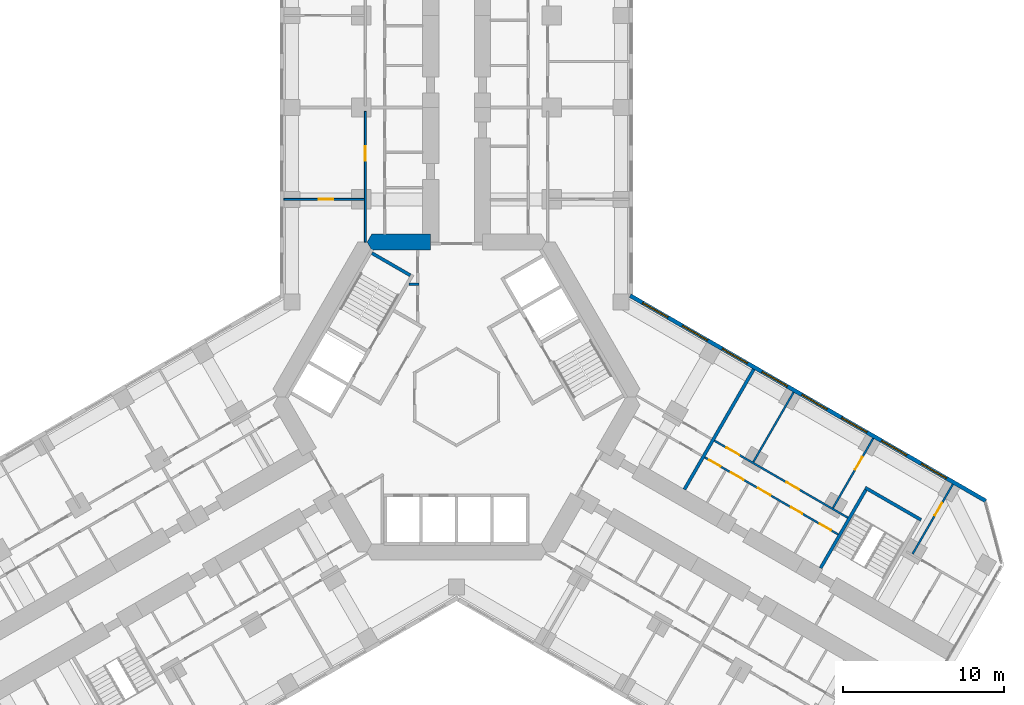
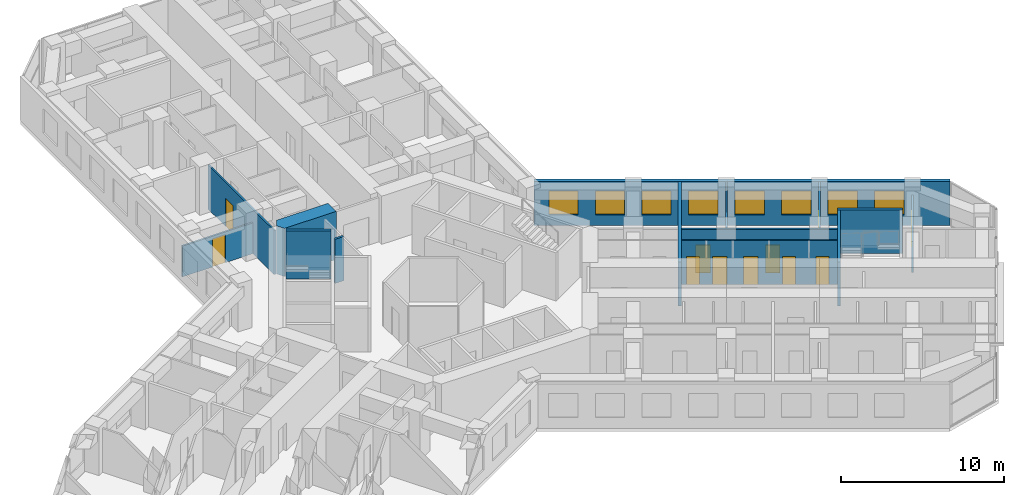
# One storey, part 16 of 21: 14 walls, 11 doors, 8 windows, 19 openings.
"""IFC4 building model written with IfcOpenShell, lengths in metres."""

import ifcopenshell
import ifcopenshell.guid

model = None  # the IFC model being written
_history = None  # IfcOwnerHistory: only IFC2X3 demands one
_inside = {}  # id of a spatial element -> (the spatial element, [elements in it])
_under = {}  # id of a project, library or spatial element -> (it, [spatial elements below it])
_declared = {}  # id of a project -> (the project, [libraries it declares])
_typed = {}  # id of a type object -> (the type object, [elements of that type])
_made_of = {}  # id of a material, layer set ... -> (it, [elements and type objects made of it])


def new_model(schema):
    """Start an empty IFC model of exactly this schema.

    Asked for "IFC4X3", IfcOpenShell would pick the latest addendum, in which some entities
    have other attributes; the version numbers below select the first issue.
    IFC2X3 requires an IfcOwnerHistory on every rooted entity: one is made here for all.
    """
    global model, _history
    if schema == "IFC4X3":
        model = ifcopenshell.file(schema_version=(4, 3, 0, 0))
    else:
        model = ifcopenshell.file(schema=schema)
    _inside.clear()
    _under.clear()
    _declared.clear()
    _typed.clear()
    _made_of.clear()
    _history = None
    if model.schema == "IFC2X3":
        org = make("IfcOrganization", Name="unknown")
        user = make(
            "IfcPersonAndOrganization",
            ThePerson=make("IfcPerson", FamilyName="unknown"),
            TheOrganization=org,
        )
        app = make(
            "IfcApplication",
            ApplicationDeveloper=org,
            Version="unknown",
            ApplicationFullName="unknown",
            ApplicationIdentifier="unknown",
        )
        _history = make(
            "IfcOwnerHistory",
            OwningUser=user,
            OwningApplication=app,
            ChangeAction="ADDED",
            CreationDate=0,
        )
    return model


def make(cls, **values):
    """One entity of the class cls with the attributes given. An attribute that is None is left unset."""
    return model.create_entity(
        cls, **{name: value for name, value in values.items() if value is not None}
    )


def rooted(cls, **values):
    """An entity with a GlobalId (a new one), such as an element, a storey or a relation."""
    return make(cls, GlobalId=ifcopenshell.guid.new(), OwnerHistory=_history, **values)


def si_unit(unit_type, name, prefix=None):
    """IfcSIUnit, for example si_unit("LENGTHUNIT", "METRE", prefix="MILLI")."""
    return make("IfcSIUnit", UnitType=unit_type, Prefix=prefix, Name=name)


def assignment(units):
    """IfcUnitAssignment: the units of a project."""
    return None if units is None else make("IfcUnitAssignment", Units=units)


def point(xyz):
    """IfcCartesianPoint."""
    return None if xyz is None else make("IfcCartesianPoint", Coordinates=xyz)


def direction(xyz):
    """IfcDirection."""
    return None if xyz is None else make("IfcDirection", DirectionRatios=xyz)


def frame(location, z_axis=None, x_axis=None):
    """IfcAxis2Placement3D, a coordinate frame: its origin and axes. An axis left out is left unset."""
    return make(
        "IfcAxis2Placement3D",
        Location=point(location),
        Axis=direction(z_axis),
        RefDirection=direction(x_axis),
    )


def frame_2d(location, x_axis=None):
    """IfcAxis2Placement2D, a coordinate frame in the plane: its origin and x axis."""
    return make(
        "IfcAxis2Placement2D", Location=point(location), RefDirection=direction(x_axis)
    )


def origin():
    """The frame at (0, 0, 0) with its axes left unset."""
    return frame((0.0, 0.0, 0.0))


def place(relative_to, where):
    """IfcLocalPlacement: puts the frame where relative to a parent placement (None: the world)."""
    return make(
        "IfcLocalPlacement", PlacementRelTo=relative_to, RelativePlacement=where
    )


def context(
    kind, dimensions, precision=None, world=None, true_north=None, identifier=None
):
    """IfcGeometricRepresentationContext, for example the 3D "Model" context."""
    return make(
        "IfcGeometricRepresentationContext",
        ContextIdentifier=identifier,
        ContextType=kind,
        CoordinateSpaceDimension=dimensions,
        Precision=precision,
        WorldCoordinateSystem=world,
        TrueNorth=true_north,
    )


def subcontext(parent, identifier, kind, view, scale=None):
    """IfcGeometricRepresentationSubContext, for example "Body" below "Model"."""
    return make(
        "IfcGeometricRepresentationSubContext",
        ContextIdentifier=identifier,
        ContextType=kind,
        ParentContext=parent,
        TargetScale=scale,
        TargetView=view,
    )


def project(units=None, contexts=None):
    """IfcProject with its units and contexts."""
    return rooted(
        "IfcProject",
        Name="project",
        RepresentationContexts=contexts,
        UnitsInContext=assignment(units),
    )


def spatial(cls, under=None, at=None, **own):
    """A site, building, storey or space (cls), placed at a placement, below another one or the project."""
    s = rooted(cls, ObjectPlacement=at, **own)
    if under is not None:
        _under.setdefault(under.id(), (under, []))[1].append(s)
    return s


def polyline(points):
    """IfcPolyline through the points."""
    return make("IfcPolyline", Points=[point(p) for p in points])


def profile(cls, at=None, kind="AREA", **sizes):
    """A parametric profile (cls). Its sizes go by their IFC names, for example OverallWidth=200.0."""
    return make(cls, ProfileType=kind, Position=at, **sizes)


def rectangle(**sizes):
    """IfcRectangleProfileDef."""
    return profile("IfcRectangleProfileDef", **sizes)


def outline(outer, holes=None, kind="AREA"):
    """IfcArbitraryClosedProfileDef: a profile drawn as a closed curve; with holes, ...WithVoids."""
    if holes is None:
        return make("IfcArbitraryClosedProfileDef", ProfileType=kind, OuterCurve=outer)
    return make(
        "IfcArbitraryProfileDefWithVoids",
        ProfileType=kind,
        OuterCurve=outer,
        InnerCurves=holes,
    )


def extrude(swept, where, along, depth):
    """IfcExtrudedAreaSolid: the profile swept, set in the frame where, extruded along a direction by depth."""
    return make(
        "IfcExtrudedAreaSolid",
        SweptArea=swept,
        Position=where,
        ExtrudedDirection=direction(along),
        Depth=depth,
    )


def shape(context_of_items, identifier, shape_type, items):
    """IfcShapeRepresentation: the items that make up one representation, for example the "Body"."""
    return make(
        "IfcShapeRepresentation",
        ContextOfItems=context_of_items,
        RepresentationIdentifier=identifier,
        RepresentationType=shape_type,
        Items=items,
    )


def material(Name=None, Category=None):
    """IfcMaterial."""
    return make("IfcMaterial", Name=Name, Category=Category)


def layer(
    of_material, thickness, ventilated=None, Name=None, Category=None, Priority=None
):
    """IfcMaterialLayer: one layer of a wall or slab, of a material (None: an air gap)."""
    return make(
        "IfcMaterialLayer",
        Material=of_material,
        LayerThickness=thickness,
        IsVentilated=ventilated,
        Name=Name,
        Category=Category,
        Priority=Priority,
    )


def layer_set(layers, Name=None):
    """IfcMaterialLayerSet."""
    return make("IfcMaterialLayerSet", MaterialLayers=layers, LayerSetName=Name)


def made_of(thing, what):
    """Note that an element or type object is made of a material, layer set ...; save() writes the relation."""
    if what is not None:
        _made_of.setdefault(what.id(), (what, []))[1].append(thing)
    return thing


def type_object(cls, material=None, **own):
    """A type object (cls), such as IfcWallType, which elements share."""
    return made_of(rooted(cls, **own), material)


def element(
    cls,
    number,
    at=None,
    inside=None,
    cuts=None,
    type_object=None,
    material=None,
    context=None,
    identifier="Body",
    shape_type=None,
    held_by="IfcProductDefinitionShape",
    body=None,
    shapes=None,
    **own,
):
    """One element of the class cls, such as IfcWall. Its Tag is "e" and its number.

    at: its placement. inside: the storey or other place that contains it. cuts: it is an
    opening in that element (IfcRelVoidsElement). A single representation is given by context,
    identifier, shape_type and body (its items); several are given by shapes. held_by: the class
    of the entity that holds the representations. save() writes the other relations.
    """
    e = rooted(cls, Tag="e%d" % number, ObjectPlacement=at, **own)
    if body is not None:
        shapes = [shape(context, identifier, shape_type, body)]
    if shapes is not None:
        e.Representation = make(held_by, Representations=shapes)
    if inside is not None:
        _inside.setdefault(inside.id(), (inside, []))[1].append(e)
    if cuts is not None:
        rooted(
            "IfcRelVoidsElement", RelatingBuildingElement=cuts, RelatedOpeningElement=e
        )
    if type_object is not None:
        _typed.setdefault(type_object.id(), (type_object, []))[1].append(e)
    return made_of(e, material)


def fill(opening, filler):
    """IfcRelFillsElement: the door or window that sits in an opening."""
    return rooted(
        "IfcRelFillsElement",
        RelatingOpeningElement=opening,
        RelatedBuildingElement=filler,
    )


def aggregate(whole, parts):
    """IfcRelAggregates: a whole, such as a stair, and the parts it consists of."""
    return rooted("IfcRelAggregates", RelatingObject=whole, RelatedObjects=parts)


def save(model, path):
    """Write the relations noted so far, then the file.

    IfcRelAggregates (storeys below a building ...), IfcRelContainedInSpatialStructure (elements
    in a storey), IfcRelDefinesByType, IfcRelAssociatesMaterial and IfcRelDeclares: one each for
    every whole, place, type object, material and project.
    """
    for whole, parts in _under.values():
        aggregate(whole, parts)
    for where, things in _inside.values():
        rooted(
            "IfcRelContainedInSpatialStructure",
            RelatedElements=things,
            RelatingStructure=where,
        )
    for kind, things in _typed.values():
        rooted("IfcRelDefinesByType", RelatedObjects=things, RelatingType=kind)
    for what, things in _made_of.values():
        rooted("IfcRelAssociatesMaterial", RelatedObjects=things, RelatingMaterial=what)
    for by, libraries in _declared.values():
        rooted("IfcRelDeclares", RelatingContext=by, RelatedDefinitions=libraries)
    model.write(path)


model = new_model("IFC4")

# Units and contexts
model_context = context("Model", 3, precision=1e-05, world=origin(), true_north=direction((0.0, 1.0)))
body_context = subcontext(model_context, "Body", "Model", "MODEL_VIEW")
ifc_project = project(units=[si_unit("LENGTHUNIT", "METRE"), si_unit("AREAUNIT", "SQUARE_METRE"), si_unit("VOLUMEUNIT", "CUBIC_METRE"), si_unit("PLANEANGLEUNIT", "RADIAN"), si_unit("MASSUNIT", "GRAM", prefix="KILO")], contexts=[model_context])

# Site, building, storey
site_placement = place(None, origin())
site = spatial("IfcSite", under=ifc_project, at=site_placement, CompositionType="ELEMENT")
building_placement = place(site_placement, origin())
building = spatial("IfcBuilding", under=site, at=building_placement, Name="Kosmar Iwan School Tower", CompositionType="ELEMENT")
storey_placement = place(building_placement, frame((0.0, 0.0, 109.60009765625)))
storey = spatial("IfcBuildingStorey", under=building, at=storey_placement, Name="L27", CompositionType="ELEMENT", Elevation=109.60009765625)

# Walls
ifc_material_1 = material(Name="Gypsum board on steel studs, fire-rated", Category="steel")
ifc_layer_1 = layer(ifc_material_1, 0.14990234375)
ifc_layer_set_1 = layer_set([ifc_layer_1], Name="Core room partition 150")
wall_type_1 = type_object("IfcWallType", Name="Core room partition 150", PredefinedType="PARTITIONING", material=ifc_layer_set_1)
wall_1_placement = place(storey_placement, frame((-2.324951171875, 6.985107421875, 0.0), z_axis=(0.0, 0.0, 1.0), x_axis=(-1.0, 0.0, 0.0)))
element("IfcWall", 1, at=wall_1_placement, inside=storey, type_object=wall_type_1, Name="Core room partition L27-CW2", PredefinedType="PARTITIONING", context=body_context, shape_type="SweptSolid", body=[
    extrude(rectangle(XDim=0.623779296875, YDim=0.14990234375, at=frame_2d((0.31201171875, 0.0))), origin(), (0.0, 0.0, 1.0), 3.2998046875),
])
ifc_material_2 = material(Name="Concrete C50/60", Category="concrete")
ifc_layer_2 = layer(ifc_material_2, 1.0)
ifc_layer_set_2 = layer_set([ifc_layer_2], Name="Core wall 1000")
wall_type_2 = type_object("IfcWallType", Name="Core wall 1000", PredefinedType="SHEAR", material=ifc_layer_set_2)
wall_2_placement = place(storey_placement, origin())
element("IfcWall", 2, at=wall_2_placement, inside=storey, type_object=wall_type_2, Name="Core wall F090b", PredefinedType="SHEAR", context=body_context, shape_type="SweptSolid", body=[
    extrude(outline(polyline([(-5.25390625, 9.10009765625), (-1.60009765625, 9.10009765625), (-1.60009765625, 10.10009765625), (-5.25390625, 10.10009765625), (-5.54248046875, 9.60009765625), (-5.25390625, 9.10009765625)])), origin(), (0.0, 0.0, 1.0), 3.599853515625),
])

# Wall, opening, door
ifc_material_3 = material(Name="Gypsum board on steel studs", Category="steel")
ifc_layer_3 = layer(ifc_material_3, 0.1201171875)
ifc_layer_set_3 = layer_set([ifc_layer_3], Name="Dwelling partition 120")
wall_type_3 = type_object("IfcWallType", Name="Dwelling partition 120", PredefinedType="PARTITIONING", material=ifc_layer_set_3)
wall_3_placement = place(storey_placement, frame((-5.64990234375, 9.60009765625, 0.0), z_axis=(0.0, 0.0, 1.0), x_axis=(0.0, 1.0, 0.0)))
wall_3 = element("IfcWall", 3, at=wall_3_placement, inside=storey, type_object=wall_type_3, Name="Partition L27-AL1-W2", PredefinedType="PARTITIONING", context=body_context, shape_type="SweptSolid", body=[
    extrude(rectangle(XDim=8.099853515625, YDim=0.1201171875, at=frame_2d((4.0498046875, 0.0))), origin(), (0.0, 0.0, 1.0), 3.2998046875),
])
opening_1_placement = place(wall_3_placement, frame((5.050048828125, 0.0, 0.0)))
opening_1 = element("IfcOpeningElement", 4, at=opening_1_placement, cuts=wall_3, Name="Opening D2", PredefinedType="OPENING", context=body_context, shape_type="SweptSolid", body=[
    extrude(rectangle(XDim=0.89990234375, YDim=2.10009765625, at=frame_2d((0.449951171875, 1.050048828125))), frame((0.0, 0.072021484375, 0.0), z_axis=(0.0, -1.0, 0.0), x_axis=(1.0, 0.0, 0.0)), (0.0, 0.0, 1.0), 0.14404296875),
])
ifc_material_4 = material(Name="Timber door in timber frame", Category="wood")
door_type_1 = type_object("IfcDoorType", Name="Internal door 900x2100", OperationType="SINGLE_SWING_LEFT", PredefinedType="DOOR", material=ifc_material_4)
door_1_placement = place(opening_1_placement, origin())
door_1 = element("IfcDoor", 5, at=door_1_placement, inside=storey, type_object=door_type_1, Name="Studio living room door L27-AL1-F2", OperationType="SINGLE_SWING_RIGHT", OverallHeight=2.10009765625, OverallWidth=0.89990234375, PredefinedType="DOOR", context=body_context, shape_type="SweptSolid", body=[
    extrude(rectangle(XDim=0.89990234375, YDim=2.10009765625, at=frame_2d((0.449951171875, 1.050048828125))), frame((0.0, 0.02490234375, 0.0), z_axis=(0.0, -1.0, 0.0), x_axis=(1.0, 0.0, 0.0)), (0.0, 0.0, 1.0), 0.050048828125),
])
fill(opening_1, door_1)

wall_4_placement = place(storey_placement, frame((-5.7099609375, 12.25, 0.0), z_axis=(0.0, 0.0, 1.0), x_axis=(-1.0, 0.0, 0.0)))
wall_4 = element("IfcWall", 6, at=wall_4_placement, inside=storey, type_object=wall_type_3, Name="Partition L27-AL1-X1", PredefinedType="PARTITIONING", context=body_context, shape_type="SweptSolid", body=[
    extrude(rectangle(XDim=4.989990234375, YDim=0.1201171875, at=frame_2d((2.4951171875, 0.0))), origin(), (0.0, 0.0, 1.0), 2.2998046875),
])
opening_2_placement = place(wall_4_placement, frame((1.93994140625, 0.0, 0.0)))
opening_2 = element("IfcOpeningElement", 7, at=opening_2_placement, cuts=wall_4, Name="Opening D2", PredefinedType="OPENING", context=body_context, shape_type="SweptSolid", body=[
    extrude(rectangle(XDim=0.89990234375, YDim=2.10009765625, at=frame_2d((0.449951171875, 1.050048828125))), frame((0.0, 0.072021484375, 0.0), z_axis=(0.0, -1.0, 0.0), x_axis=(1.0, 0.0, 0.0)), (0.0, 0.0, 1.0), 0.14404296875),
])
door_2_placement = place(opening_2_placement, origin())
door_2 = element("IfcDoor", 8, at=door_2_placement, inside=storey, type_object=door_type_1, Name="Kitchen and dining room door L27-AL1-F1", OperationType="SINGLE_SWING_LEFT", OverallHeight=2.10009765625, OverallWidth=0.89990234375, PredefinedType="DOOR", context=body_context, shape_type="SweptSolid", body=[
    extrude(rectangle(XDim=0.89990234375, YDim=2.10009765625, at=frame_2d((0.449951171875, 1.050048828125))), frame((0.0, 0.02490234375, 0.0), z_axis=(0.0, -1.0, 0.0), x_axis=(1.0, 0.0, 0.0)), (0.0, 0.0, 1.0), 0.050048828125),
])
fill(opening_2, door_2)

# Wall, openings, doors
wall_5_placement = place(storey_placement, frame((15.388671875, -3.74609375, 0.0), z_axis=(0.0, 0.0, 1.0), x_axis=(0.866017851049, -0.500013081493, 0.0)))
wall_5 = element("IfcWall", 9, at=wall_5_placement, inside=storey, type_object=wall_type_3, Name="Partition L27-CL2-W1", PredefinedType="PARTITIONING", context=body_context, shape_type="SweptSolid", body=[
    extrude(rectangle(XDim=9.550048828125, YDim=0.1201171875, at=frame_2d((4.77490234375, 0.0))), origin(), (0.0, 0.0, 1.0), 3.2998046875),
])
opening_3_placement = place(wall_5_placement, frame((0.3125, 0.0, 0.0)))
opening_3 = element("IfcOpeningElement", 10, at=opening_3_placement, cuts=wall_5, Name="Opening D3", PredefinedType="OPENING", context=body_context, shape_type="SweptSolid", body=[
    extrude(rectangle(XDim=0.800048828125, YDim=2.10009765625, at=frame_2d((0.39990234375, 1.050048828125))), frame((0.0, 0.072021484375, 0.0), z_axis=(0.0, -1.0, 0.0), x_axis=(1.0, 0.0, 0.0)), (0.0, 0.0, 1.0), 0.14404296875),
])
opening_4_placement = place(wall_5_placement, frame((1.887451171875, 0.0, 0.0)))
opening_4 = element("IfcOpeningElement", 11, at=opening_4_placement, cuts=wall_5, Name="Opening D2", PredefinedType="OPENING", context=body_context, shape_type="SweptSolid", body=[
    extrude(rectangle(XDim=0.89990234375, YDim=2.10009765625, at=frame_2d((0.449951171875, 1.050048828125))), frame((0.0, 0.072021484375, 0.0), z_axis=(0.0, -1.0, 0.0), x_axis=(1.0, 0.0, 0.0)), (0.0, 0.0, 1.0), 0.14404296875),
])
opening_5_placement = place(wall_5_placement, frame((3.800048828125, 0.0, 0.0)))
opening_5 = element("IfcOpeningElement", 12, at=opening_5_placement, cuts=wall_5, Name="Opening D2", PredefinedType="OPENING", context=body_context, shape_type="SweptSolid", body=[
    extrude(rectangle(XDim=0.89990234375, YDim=2.10009765625, at=frame_2d((0.449951171875, 1.050048828125))), frame((0.0, 0.072021484375, 0.0), z_axis=(0.0, -1.0, 0.0), x_axis=(1.0, 0.0, 0.0)), (0.0, 0.0, 1.0), 0.14404296875),
])
opening_6_placement = place(wall_5_placement, frame((6.179931640625, 0.0, 0.0)))
opening_6 = element("IfcOpeningElement", 13, at=opening_6_placement, cuts=wall_5, Name="Opening D3", PredefinedType="OPENING", context=body_context, shape_type="SweptSolid", body=[
    extrude(rectangle(XDim=0.800048828125, YDim=2.10009765625, at=frame_2d((0.39990234375, 1.050048828125))), frame((0.0, 0.072021484375, 0.0), z_axis=(0.0, -1.0, 0.0), x_axis=(1.0, 0.0, 0.0)), (0.0, 0.0, 1.0), 0.14404296875),
])
opening_7_placement = place(wall_5_placement, frame((8.22998046875, 0.0, 0.0)))
opening_7 = element("IfcOpeningElement", 14, at=opening_7_placement, cuts=wall_5, Name="Opening D3", PredefinedType="OPENING", context=body_context, shape_type="SweptSolid", body=[
    extrude(rectangle(XDim=0.800048828125, YDim=2.10009765625, at=frame_2d((0.39990234375, 1.050048828125))), frame((0.0, 0.072021484375, 0.0), z_axis=(0.0, -1.0, 0.0), x_axis=(1.0, 0.0, 0.0)), (0.0, 0.0, 1.0), 0.14404296875),
])
door_3_placement = place(opening_4_placement, frame((0.89990234375, 0.0, 0.0), z_axis=(0.0, 0.0, 1.0), x_axis=(-1.0, 0.0, 0.0)))
door_3 = element("IfcDoor", 15, at=door_3_placement, inside=storey, type_object=door_type_1, Name="Pantry door L27-CL2-S2", OperationType="SINGLE_SWING_RIGHT", OverallHeight=2.10009765625, OverallWidth=0.89990234375, PredefinedType="DOOR", context=body_context, shape_type="SweptSolid", body=[
    extrude(rectangle(XDim=0.89990234375, YDim=2.10009765625, at=frame_2d((0.449951171875, 1.050048828125))), frame((0.0, 0.02490234375, 0.0), z_axis=(0.0, -1.0, 0.0), x_axis=(1.0, 0.0, 0.0)), (0.0, 0.0, 1.0), 0.050048828125),
])
fill(opening_4, door_3)
door_4_placement = place(opening_5_placement, origin())
door_4 = element("IfcDoor", 16, at=door_4_placement, inside=storey, type_object=door_type_1, Name="Entrance hall door L27-CL2-S3", OperationType="SINGLE_SWING_LEFT", OverallHeight=2.10009765625, OverallWidth=0.89990234375, PredefinedType="DOOR", context=body_context, shape_type="SweptSolid", body=[
    extrude(rectangle(XDim=0.89990234375, YDim=2.10009765625, at=frame_2d((0.449951171875, 1.050048828125))), frame((0.0, 0.02490234375, 0.0), z_axis=(0.0, -1.0, 0.0), x_axis=(1.0, 0.0, 0.0)), (0.0, 0.0, 1.0), 0.050048828125),
])
fill(opening_5, door_4)
ifc_material_5 = material(Name="Timber door in timber frame", Category="wood")
door_type_2 = type_object("IfcDoorType", Name="Sanitary room door 800x2100", OperationType="SINGLE_SWING_LEFT", PredefinedType="DOOR", material=ifc_material_5)
door_5_placement = place(opening_3_placement, origin())
door_5 = element("IfcDoor", 17, at=door_5_placement, inside=storey, type_object=door_type_2, Name="Store door L27-CL2-S1", OperationType="SINGLE_SWING_LEFT", OverallHeight=2.10009765625, OverallWidth=0.800048828125, PredefinedType="DOOR", context=body_context, shape_type="SweptSolid", body=[
    extrude(rectangle(XDim=0.800048828125, YDim=2.10009765625, at=frame_2d((0.39990234375, 1.050048828125))), frame((0.0, 0.02490234375, 0.0), z_axis=(0.0, -1.0, 0.0), x_axis=(1.0, 0.0, 0.0)), (0.0, 0.0, 1.0), 0.050048828125),
])
fill(opening_3, door_5)
door_6_placement = place(opening_6_placement, origin())
door_6 = element("IfcDoor", 18, at=door_6_placement, inside=storey, type_object=door_type_2, Name="Bathroom door L27-CL2-S4", OperationType="SINGLE_SWING_RIGHT", OverallHeight=2.10009765625, OverallWidth=0.800048828125, PredefinedType="DOOR", context=body_context, shape_type="SweptSolid", body=[
    extrude(rectangle(XDim=0.800048828125, YDim=2.10009765625, at=frame_2d((0.39990234375, 1.050048828125))), frame((0.0, 0.02490234375, 0.0), z_axis=(0.0, -1.0, 0.0), x_axis=(1.0, 0.0, 0.0)), (0.0, 0.0, 1.0), 0.050048828125),
])
fill(opening_6, door_6)
door_7_placement = place(opening_7_placement, origin())
door_7 = element("IfcDoor", 19, at=door_7_placement, inside=storey, type_object=door_type_2, Name="WC door L27-CL2-S5", OperationType="SINGLE_SWING_RIGHT", OverallHeight=2.10009765625, OverallWidth=0.800048828125, PredefinedType="DOOR", context=body_context, shape_type="SweptSolid", body=[
    extrude(rectangle(XDim=0.800048828125, YDim=2.10009765625, at=frame_2d((0.39990234375, 1.050048828125))), frame((0.0, 0.02490234375, 0.0), z_axis=(0.0, -1.0, 0.0), x_axis=(1.0, 0.0, 0.0)), (0.0, 0.0, 1.0), 0.050048828125),
])
fill(opening_7, door_7)

wall_6_placement = place(storey_placement, frame((15.988525390625, -2.70703125, 0.0), z_axis=(0.0, 0.0, 1.0), x_axis=(0.866028920859, -0.499993908199, 0.0)))
wall_6 = element("IfcWall", 20, at=wall_6_placement, inside=storey, type_object=wall_type_3, Name="Partition L27-CL2-W2", PredefinedType="PARTITIONING", context=body_context, shape_type="SweptSolid", body=[
    extrude(rectangle(XDim=9.5498046875, YDim=0.1201171875, at=frame_2d((4.77490234375, 0.0))), origin(), (0.0, 0.0, 1.0), 3.2998046875),
])
opening_8_placement = place(wall_6_placement, frame((0.875, 0.0, 0.0)))
opening_8 = element("IfcOpeningElement", 21, at=opening_8_placement, cuts=wall_6, Name="Opening D2", PredefinedType="OPENING", context=body_context, shape_type="SweptSolid", body=[
    extrude(rectangle(XDim=0.89990234375, YDim=2.10009765625, at=frame_2d((0.449951171875, 1.050048828125))), frame((0.0, 0.072021484375, 0.0), z_axis=(0.0, -1.0, 0.0), x_axis=(1.0, 0.0, 0.0)), (0.0, 0.0, 1.0), 0.14404296875),
])
opening_9_placement = place(wall_6_placement, frame((5.14990234375, 0.0, 0.0)))
opening_9 = element("IfcOpeningElement", 22, at=opening_9_placement, cuts=wall_6, Name="Opening D2", PredefinedType="OPENING", context=body_context, shape_type="SweptSolid", body=[
    extrude(rectangle(XDim=0.89990234375, YDim=2.10009765625, at=frame_2d((0.449951171875, 1.050048828125))), frame((0.0, 0.072021484375, 0.0), z_axis=(0.0, -1.0, 0.0), x_axis=(1.0, 0.0, 0.0)), (0.0, 0.0, 1.0), 0.14404296875),
])
door_8_placement = place(opening_8_placement, origin())
door_8 = element("IfcDoor", 23, at=door_8_placement, inside=storey, type_object=door_type_1, Name="Bedroom 1 door L27-CL2-F1", OperationType="SINGLE_SWING_RIGHT", OverallHeight=2.10009765625, OverallWidth=0.89990234375, PredefinedType="DOOR", context=body_context, shape_type="SweptSolid", body=[
    extrude(rectangle(XDim=0.89990234375, YDim=2.10009765625, at=frame_2d((0.449951171875, 1.050048828125))), frame((0.0, 0.02490234375, 0.0), z_axis=(0.0, -1.0, 0.0), x_axis=(1.0, 0.0, 0.0)), (0.0, 0.0, 1.0), 0.050048828125),
])
fill(opening_8, door_8)
door_9_placement = place(opening_9_placement, origin())
door_9 = element("IfcDoor", 24, at=door_9_placement, inside=storey, type_object=door_type_1, Name="Living room and kitchen door L27-CL2-F2", OperationType="SINGLE_SWING_LEFT", OverallHeight=2.10009765625, OverallWidth=0.89990234375, PredefinedType="DOOR", context=body_context, shape_type="SweptSolid", body=[
    extrude(rectangle(XDim=0.89990234375, YDim=2.10009765625, at=frame_2d((0.449951171875, 1.050048828125))), frame((0.0, 0.02490234375, 0.0), z_axis=(0.0, -1.0, 0.0), x_axis=(1.0, 0.0, 0.0)), (0.0, 0.0, 1.0), 0.050048828125),
])
fill(opening_9, door_9)

# Wall
wall_7_placement = place(storey_placement, frame((18.400146484375, -4.030029296875, 0.0), z_axis=(0.0, 0.0, 1.0), x_axis=(0.500011847778, 0.866018563358, 0.0)))
element("IfcWall", 25, at=wall_7_placement, inside=storey, type_object=wall_type_3, Name="Partition L27-CL2-X1", PredefinedType="PARTITIONING", context=body_context, shape_type="SweptSolid", body=[
    extrude(rectangle(XDim=4.990234375, YDim=0.1201171875, at=frame_2d((2.4951171875, 0.0))), origin(), (0.0, 0.0, 1.0), 3.2998046875),
])

# Wall, opening, door
wall_8_placement = place(storey_placement, frame((23.33642578125, -6.8798828125, 0.0), z_axis=(0.0, 0.0, 1.0), x_axis=(0.500033033937, 0.866006330792, 0.0)))
wall_8 = element("IfcWall", 26, at=wall_8_placement, inside=storey, type_object=wall_type_3, Name="Partition L27-CL2-TB", PredefinedType="PARTITIONING", context=body_context, shape_type="SweptSolid", body=[
    extrude(rectangle(XDim=4.989990234375, YDim=0.1201171875, at=frame_2d((2.4951171875, 0.0))), origin(), (0.0, 0.0, 1.0), 3.2998046875),
])
opening_10_placement = place(wall_8_placement, frame((2.739990234375, 0.0, 0.0)))
opening_10 = element("IfcOpeningElement", 27, at=opening_10_placement, cuts=wall_8, Name="Opening D2", PredefinedType="OPENING", context=body_context, shape_type="SweptSolid", body=[
    extrude(rectangle(XDim=0.89990234375, YDim=2.10009765625, at=frame_2d((0.449951171875, 1.050048828125))), frame((0.0, 0.072021484375, 0.0), z_axis=(0.0, -1.0, 0.0), x_axis=(1.0, 0.0, 0.0)), (0.0, 0.0, 1.0), 0.14404296875),
])
door_10_placement = place(opening_10_placement, origin())
door_10 = element("IfcDoor", 28, at=door_10_placement, inside=storey, type_object=door_type_1, Name="Study door L27-CL2-F2", OperationType="SINGLE_SWING_RIGHT", OverallHeight=2.10009765625, OverallWidth=0.89990234375, PredefinedType="DOOR", context=body_context, shape_type="SweptSolid", body=[
    extrude(rectangle(XDim=0.89990234375, YDim=2.10009765625, at=frame_2d((0.449951171875, 1.050048828125))), frame((0.0, 0.02490234375, 0.0), z_axis=(0.0, -1.0, 0.0), x_axis=(1.0, 0.0, 0.0)), (0.0, 0.0, 1.0), 0.050048828125),
])
fill(opening_10, door_10)

wall_9_placement = place(storey_placement, frame((28.27294921875, -9.72998046875, 0.0), z_axis=(0.0, 0.0, 1.0), x_axis=(0.499975153383, 0.86603974851, 0.0)))
wall_9 = element("IfcWall", 29, at=wall_9_placement, inside=storey, type_object=wall_type_3, Name="Partition L27-CL2-TX", PredefinedType="PARTITIONING", context=body_context, shape_type="SweptSolid", body=[
    extrude(rectangle(XDim=4.989990234375, YDim=0.1201171875, at=frame_2d((2.4951171875, 0.0))), origin(), (0.0, 0.0, 1.0), 2.2998046875),
])
opening_11_placement = place(wall_9_placement, frame((2.739990234375, 0.0, 0.0)))
opening_11 = element("IfcOpeningElement", 30, at=opening_11_placement, cuts=wall_9, Name="Opening D2", PredefinedType="OPENING", context=body_context, shape_type="SweptSolid", body=[
    extrude(rectangle(XDim=0.89990234375, YDim=2.10009765625, at=frame_2d((0.449951171875, 1.050048828125))), frame((0.0, 0.072021484375, 0.0), z_axis=(0.0, -1.0, 0.0), x_axis=(1.0, 0.0, 0.0)), (0.0, 0.0, 1.0), 0.14404296875),
])
door_11_placement = place(opening_11_placement, origin())
door_11 = element("IfcDoor", 31, at=door_11_placement, inside=storey, type_object=door_type_1, Name="Study door L27-CL2-T1", OperationType="SINGLE_SWING_RIGHT", OverallHeight=2.10009765625, OverallWidth=0.89990234375, PredefinedType="DOOR", context=body_context, shape_type="SweptSolid", body=[
    extrude(rectangle(XDim=0.89990234375, YDim=2.10009765625, at=frame_2d((0.449951171875, 1.050048828125))), frame((0.0, 0.02490234375, 0.0), z_axis=(0.0, -1.0, 0.0), x_axis=(1.0, 0.0, 0.0)), (0.0, 0.0, 1.0), 0.050048828125),
])
fill(opening_11, door_11)

# Walls
ifc_material_6 = material(Name="Concrete C35/45", Category="concrete")
ifc_layer_4 = layer(ifc_material_6, 0.199951171875)
ifc_layer_set_4 = layer_set([ifc_layer_4], Name="Escape stair wall 200")
wall_type_4 = type_object("IfcWallType", Name="Escape stair wall 200", PredefinedType="SHEAR", material=ifc_layer_set_4)
wall_10_placement = place(storey_placement, frame((22.57080078125, -10.6064453125, 0.0), z_axis=(0.0, 0.0, 1.0), x_axis=(0.499987231761, 0.866032775405, 0.0)))
element("IfcWall", 32, at=wall_10_placement, inside=storey, type_object=wall_type_4, Name="Stair WS3 wall", PredefinedType="SHEAR", context=body_context, shape_type="SweptSolid", body=[
    extrude(rectangle(XDim=5.800048828125, YDim=0.199951171875, at=frame_2d((2.89990234375, 0.0))), origin(), (0.0, 0.0, 1.0), 3.27978515625),
])
wall_11_placement = place(storey_placement, frame((25.334228515625, -5.6201171875, 0.0), z_axis=(0.0, 0.0, 1.0), x_axis=(0.866026010844, -0.49999894854, 0.0)))
element("IfcWall", 33, at=wall_11_placement, inside=storey, type_object=wall_type_4, Name="Stair WS3 wall", PredefinedType="SHEAR", context=body_context, shape_type="SweptSolid", body=[
    extrude(rectangle(XDim=4.0, YDim=0.199951171875, at=frame_2d((2.0, 0.0))), origin(), (0.0, 0.0, 1.0), 3.27978515625),
])

# Wall, openings, windows
ifc_material_7 = material(Name="Black aluminium rainscreen on insulated framing", Category="aluminium")
ifc_layer_5 = layer(ifc_material_7, 0.25)
ifc_layer_set_5 = layer_set([ifc_layer_5], Name="External wall rainscreen 250")
wall_type_5 = type_object("IfcWallType", Name="External wall rainscreen 250", PredefinedType="SOLIDWALL", material=ifc_layer_set_5)
wall_12_placement = place(storey_placement, frame((10.762451171875, 6.285888671875, 0.0), z_axis=(0.0, 0.0, 1.0), x_axis=(0.866027962024, -0.499995568972, 0.0)))
wall_12 = element("IfcWall", 34, at=wall_12_placement, inside=storey, type_object=wall_type_5, Name="External wall CL L27", PredefinedType="SOLIDWALL", context=body_context, shape_type="SweptSolid", body=[
    extrude(rectangle(XDim=25.457763671875, YDim=0.25, at=frame_2d((12.72900390625, 0.0))), origin(), (0.0, 0.0, 1.0), 3.2998046875),
])
opening_12_placement = place(wall_12_placement, frame((0.8974609375, 0.0, 0.800048828125)))
opening_12 = element("IfcOpeningElement", 35, at=opening_12_placement, cuts=wall_12, Name="Opening W1", PredefinedType="OPENING", context=body_context, shape_type="SweptSolid", body=[
    extrude(rectangle(XDim=1.800048828125, YDim=1.800048828125, at=frame_2d((0.89990234375, 0.89990234375))), frame((0.0, 0.136962890625, 0.0), z_axis=(0.0, -1.0, 0.0), x_axis=(1.0, 0.0, 0.0)), (0.0, 0.0, 1.0), 0.27392578125),
])
opening_13_placement = place(wall_12_placement, frame((3.747314453125, 0.0, 0.800048828125)))
opening_13 = element("IfcOpeningElement", 36, at=opening_13_placement, cuts=wall_12, Name="Opening W1", PredefinedType="OPENING", context=body_context, shape_type="SweptSolid", body=[
    extrude(rectangle(XDim=1.800048828125, YDim=1.800048828125, at=frame_2d((0.89990234375, 0.89990234375))), frame((0.0, 0.136962890625, 0.0), z_axis=(0.0, -1.0, 0.0), x_axis=(1.0, 0.0, 0.0)), (0.0, 0.0, 1.0), 0.27392578125),
])
opening_14_placement = place(wall_12_placement, frame((6.597412109375, 0.0, 0.800048828125)))
opening_14 = element("IfcOpeningElement", 37, at=opening_14_placement, cuts=wall_12, Name="Opening W1", PredefinedType="OPENING", context=body_context, shape_type="SweptSolid", body=[
    extrude(rectangle(XDim=1.800048828125, YDim=1.800048828125, at=frame_2d((0.89990234375, 0.89990234375))), frame((0.0, 0.136962890625, 0.0), z_axis=(0.0, -1.0, 0.0), x_axis=(1.0, 0.0, 0.0)), (0.0, 0.0, 1.0), 0.27392578125),
])
opening_15_placement = place(wall_12_placement, frame((9.447265625, 0.0, 0.800048828125)))
opening_15 = element("IfcOpeningElement", 38, at=opening_15_placement, cuts=wall_12, Name="Opening W1", PredefinedType="OPENING", context=body_context, shape_type="SweptSolid", body=[
    extrude(rectangle(XDim=1.800048828125, YDim=1.800048828125, at=frame_2d((0.89990234375, 0.89990234375))), frame((0.0, 0.136962890625, 0.0), z_axis=(0.0, -1.0, 0.0), x_axis=(1.0, 0.0, 0.0)), (0.0, 0.0, 1.0), 0.27392578125),
])
opening_16_placement = place(wall_12_placement, frame((12.29736328125, 0.0, 0.800048828125)))
opening_16 = element("IfcOpeningElement", 39, at=opening_16_placement, cuts=wall_12, Name="Opening W1", PredefinedType="OPENING", context=body_context, shape_type="SweptSolid", body=[
    extrude(rectangle(XDim=1.800048828125, YDim=1.800048828125, at=frame_2d((0.89990234375, 0.89990234375))), frame((0.0, 0.136962890625, 0.0), z_axis=(0.0, -1.0, 0.0), x_axis=(1.0, 0.0, 0.0)), (0.0, 0.0, 1.0), 0.27392578125),
])
opening_17_placement = place(wall_12_placement, frame((15.1474609375, 0.0, 0.800048828125)))
opening_17 = element("IfcOpeningElement", 40, at=opening_17_placement, cuts=wall_12, Name="Opening W1", PredefinedType="OPENING", context=body_context, shape_type="SweptSolid", body=[
    extrude(rectangle(XDim=1.800048828125, YDim=1.800048828125, at=frame_2d((0.89990234375, 0.89990234375))), frame((0.0, 0.136962890625, 0.0), z_axis=(0.0, -1.0, 0.0), x_axis=(1.0, 0.0, 0.0)), (0.0, 0.0, 1.0), 0.27392578125),
])
opening_18_placement = place(wall_12_placement, frame((17.997314453125, 0.0, 0.800048828125)))
opening_18 = element("IfcOpeningElement", 41, at=opening_18_placement, cuts=wall_12, Name="Opening W1", PredefinedType="OPENING", context=body_context, shape_type="SweptSolid", body=[
    extrude(rectangle(XDim=1.800048828125, YDim=1.800048828125, at=frame_2d((0.89990234375, 0.89990234375))), frame((0.0, 0.136962890625, 0.0), z_axis=(0.0, -1.0, 0.0), x_axis=(1.0, 0.0, 0.0)), (0.0, 0.0, 1.0), 0.27392578125),
])
opening_19_placement = place(wall_12_placement, frame((20.847412109375, 0.0, 0.800048828125)))
opening_19 = element("IfcOpeningElement", 42, at=opening_19_placement, cuts=wall_12, Name="Opening W1", PredefinedType="OPENING", context=body_context, shape_type="SweptSolid", body=[
    extrude(rectangle(XDim=1.800048828125, YDim=1.800048828125, at=frame_2d((0.89990234375, 0.89990234375))), frame((0.0, 0.136962890625, 0.0), z_axis=(0.0, -1.0, 0.0), x_axis=(1.0, 0.0, 0.0)), (0.0, 0.0, 1.0), 0.27392578125),
])
ifc_material_8 = material(Name="Black aluminium frame with dark triple glazing", Category="aluminium")
window_type = type_object("IfcWindowType", Name="Window 1800x1800", PartitioningType="SINGLE_PANEL", PredefinedType="WINDOW", material=ifc_material_8)
window_1_placement = place(opening_12_placement, origin())
window_1 = element("IfcWindow", 43, at=window_1_placement, inside=storey, type_object=window_type, Name="Window CL L27 -1", OverallHeight=1.800048828125, OverallWidth=1.800048828125, PartitioningType="SINGLE_PANEL", PredefinedType="WINDOW", context=body_context, shape_type="SweptSolid", body=[
    extrude(rectangle(XDim=1.800048828125, YDim=1.800048828125, at=frame_2d((0.89990234375, 0.89990234375))), frame((0.0, 0.030029296875, 0.0), z_axis=(0.0, -1.0, 0.0), x_axis=(1.0, 0.0, 0.0)), (0.0, 0.0, 1.0), 0.06005859375),
])
fill(opening_12, window_1)
window_2_placement = place(opening_13_placement, origin())
window_2 = element("IfcWindow", 44, at=window_2_placement, inside=storey, type_object=window_type, Name="Window CL L27 0", OverallHeight=1.800048828125, OverallWidth=1.800048828125, PartitioningType="SINGLE_PANEL", PredefinedType="WINDOW", context=body_context, shape_type="SweptSolid", body=[
    extrude(rectangle(XDim=1.800048828125, YDim=1.800048828125, at=frame_2d((0.89990234375, 0.89990234375))), frame((0.0, 0.030029296875, 0.0), z_axis=(0.0, -1.0, 0.0), x_axis=(1.0, 0.0, 0.0)), (0.0, 0.0, 1.0), 0.06005859375),
])
fill(opening_13, window_2)
window_3_placement = place(opening_14_placement, origin())
window_3 = element("IfcWindow", 45, at=window_3_placement, inside=storey, type_object=window_type, Name="Window CL L27 1", OverallHeight=1.800048828125, OverallWidth=1.800048828125, PartitioningType="SINGLE_PANEL", PredefinedType="WINDOW", context=body_context, shape_type="SweptSolid", body=[
    extrude(rectangle(XDim=1.800048828125, YDim=1.800048828125, at=frame_2d((0.89990234375, 0.89990234375))), frame((0.0, 0.030029296875, 0.0), z_axis=(0.0, -1.0, 0.0), x_axis=(1.0, 0.0, 0.0)), (0.0, 0.0, 1.0), 0.06005859375),
])
fill(opening_14, window_3)
window_4_placement = place(opening_15_placement, origin())
window_4 = element("IfcWindow", 46, at=window_4_placement, inside=storey, type_object=window_type, Name="Window CL L27 2", OverallHeight=1.800048828125, OverallWidth=1.800048828125, PartitioningType="SINGLE_PANEL", PredefinedType="WINDOW", context=body_context, shape_type="SweptSolid", body=[
    extrude(rectangle(XDim=1.800048828125, YDim=1.800048828125, at=frame_2d((0.89990234375, 0.89990234375))), frame((0.0, 0.030029296875, 0.0), z_axis=(0.0, -1.0, 0.0), x_axis=(1.0, 0.0, 0.0)), (0.0, 0.0, 1.0), 0.06005859375),
])
fill(opening_15, window_4)
window_5_placement = place(opening_16_placement, origin())
window_5 = element("IfcWindow", 47, at=window_5_placement, inside=storey, type_object=window_type, Name="Window CL L27 3", OverallHeight=1.800048828125, OverallWidth=1.800048828125, PartitioningType="SINGLE_PANEL", PredefinedType="WINDOW", context=body_context, shape_type="SweptSolid", body=[
    extrude(rectangle(XDim=1.800048828125, YDim=1.800048828125, at=frame_2d((0.89990234375, 0.89990234375))), frame((0.0, 0.030029296875, 0.0), z_axis=(0.0, -1.0, 0.0), x_axis=(1.0, 0.0, 0.0)), (0.0, 0.0, 1.0), 0.06005859375),
])
fill(opening_16, window_5)
window_6_placement = place(opening_17_placement, origin())
window_6 = element("IfcWindow", 48, at=window_6_placement, inside=storey, type_object=window_type, Name="Window CL L27 4", OverallHeight=1.800048828125, OverallWidth=1.800048828125, PartitioningType="SINGLE_PANEL", PredefinedType="WINDOW", context=body_context, shape_type="SweptSolid", body=[
    extrude(rectangle(XDim=1.800048828125, YDim=1.800048828125, at=frame_2d((0.89990234375, 0.89990234375))), frame((0.0, 0.030029296875, 0.0), z_axis=(0.0, -1.0, 0.0), x_axis=(1.0, 0.0, 0.0)), (0.0, 0.0, 1.0), 0.06005859375),
])
fill(opening_17, window_6)
window_7_placement = place(opening_18_placement, origin())
window_7 = element("IfcWindow", 49, at=window_7_placement, inside=storey, type_object=window_type, Name="Window CL L27 5", OverallHeight=1.800048828125, OverallWidth=1.800048828125, PartitioningType="SINGLE_PANEL", PredefinedType="WINDOW", context=body_context, shape_type="SweptSolid", body=[
    extrude(rectangle(XDim=1.800048828125, YDim=1.800048828125, at=frame_2d((0.89990234375, 0.89990234375))), frame((0.0, 0.030029296875, 0.0), z_axis=(0.0, -1.0, 0.0), x_axis=(1.0, 0.0, 0.0)), (0.0, 0.0, 1.0), 0.06005859375),
])
fill(opening_18, window_7)
window_8_placement = place(opening_19_placement, origin())
window_8 = element("IfcWindow", 50, at=window_8_placement, inside=storey, type_object=window_type, Name="Window CL L27 6", OverallHeight=1.800048828125, OverallWidth=1.800048828125, PartitioningType="SINGLE_PANEL", PredefinedType="WINDOW", context=body_context, shape_type="SweptSolid", body=[
    extrude(rectangle(XDim=1.800048828125, YDim=1.800048828125, at=frame_2d((0.89990234375, 0.89990234375))), frame((0.0, 0.030029296875, 0.0), z_axis=(0.0, -1.0, 0.0), x_axis=(1.0, 0.0, 0.0)), (0.0, 0.0, 1.0), 0.06005859375),
])
fill(opening_19, window_8)

# Walls
ifc_material_9 = material(Name="Concrete block masonry", Category="masonry")
ifc_layer_6 = layer(ifc_material_9, 0.199951171875)
ifc_layer_set_6 = layer_set([ifc_layer_6], Name="Party wall 200")
wall_type_6 = type_object("IfcWallType", Name="Party wall 200", PredefinedType="PARTITIONING", material=ifc_layer_set_6)
wall_13_placement = place(storey_placement, frame((14.126953125, -5.7314453125, 0.0), z_axis=(0.0, 0.0, 1.0), x_axis=(0.499995216735, 0.866028165386, 0.0)))
element("IfcWall", 51, at=wall_13_placement, inside=storey, type_object=wall_type_6, Name="Partition L27-CL2-PW", PredefinedType="PARTITIONING", context=body_context, shape_type="SweptSolid", body=[
    extrude(rectangle(XDim=8.60009765625, YDim=0.199951171875, at=frame_2d((4.300048828125, 0.0))), origin(), (0.0, 0.0, 1.0), 3.2998046875),
])
ifc_material_10 = material(Name="Concrete C50/60", Category="concrete")
ifc_layer_7 = layer(ifc_material_10, 0.199951171875)
ifc_layer_set_7 = layer_set([ifc_layer_7], Name="Stair enclosure wall 200")
wall_type_7 = type_object("IfcWallType", Name="Stair enclosure wall 200", PredefinedType="SHEAR", material=ifc_layer_set_7)
wall_14_placement = place(storey_placement, frame((-2.862548828125, 7.541748046875, 0.0), z_axis=(0.0, 0.0, 1.0), x_axis=(-0.866027397988, 0.499996545922, 0.0)))
element("IfcWall", 52, at=wall_14_placement, inside=storey, type_object=wall_type_7, Name="Stair ST2 wall", PredefinedType="SHEAR", context=body_context, shape_type="SweptSolid", body=[
    extrude(rectangle(XDim=2.75, YDim=0.199951171875, at=frame_2d((1.375, 0.0))), origin(), (0.0, 0.0, 1.0), 3.599853515625),
])

save(model, "model.ifc")
